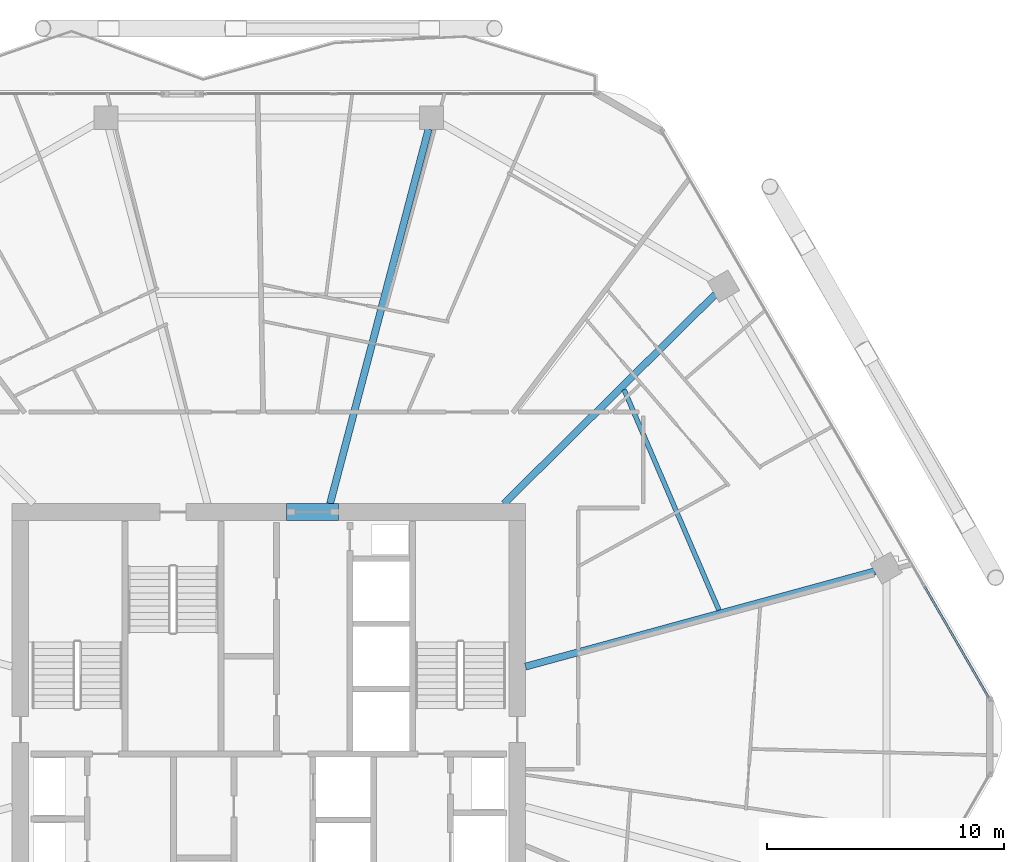
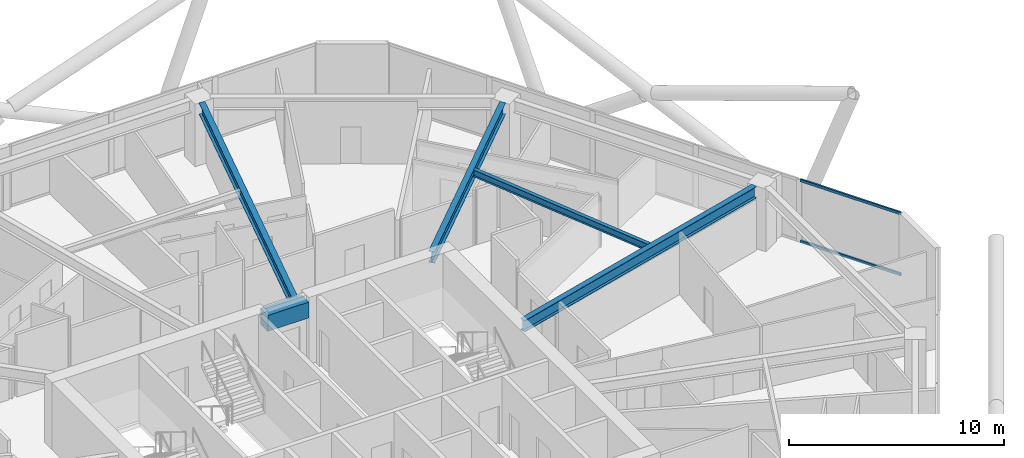
# One storey, part 16 of 29: 5 beams, 2 members, 1 element without a shape of its own.
"""IFC4 building model written with IfcOpenShell, lengths in metres."""

from ifc_helpers import new_model, si_unit, direction, frame, origin, origin_2d, place, context, subcontext, project, spatial, rectangle, hollow_rectangle, i_section, extrude, material, material_profile, profile_set, type_object, element, aggregate, save


model = new_model("IFC4")

# Units and contexts
model_context = context("Model", 3, precision=1e-05, world=origin(), true_north=direction((0.0, 1.0)))
body_context = subcontext(model_context, "Body", "Model", "MODEL_VIEW")
ifc_project = project(units=[si_unit("LENGTHUNIT", "METRE"), si_unit("AREAUNIT", "SQUARE_METRE"), si_unit("VOLUMEUNIT", "CUBIC_METRE"), si_unit("PLANEANGLEUNIT", "RADIAN"), si_unit("MASSUNIT", "GRAM", prefix="KILO")], contexts=[model_context])

# Site, building, storey
site_placement = place(None, origin())
site = spatial("IfcSite", under=ifc_project, at=site_placement, CompositionType="ELEMENT")
building_placement = place(site_placement, origin())
building = spatial("IfcBuilding", under=site, at=building_placement, Name="Zuhravey Tower", CompositionType="ELEMENT")
storey_placement = place(building_placement, frame((0.0, 0.0, 184.60009765625)))
storey = spatial("IfcBuildingStorey", under=building, at=storey_placement, Name="L46", CompositionType="ELEMENT", Elevation=184.60009765625)

# Beam
ifc_material_1 = material(Name="Concrete C60/75", Category="concrete")
ifc_material_profile_1 = material_profile(ifc_material_1, rectangle(XDim=0.699951171875, YDim=0.89990234375, at=origin_2d()), Name="RC-700x900")
ifc_profile_set_1 = profile_set([ifc_material_profile_1], Name="Concrete C60/75")
beam_type_1 = type_object("IfcBeamType", Name="Core Coupling Beam RC700x900", PredefinedType="LINTEL", material=ifc_profile_set_1)
beam_1_placement = place(storey_placement, frame((36.751953125, 41.5, 3.099853515625), z_axis=(1.0, 0.0, 0.0), x_axis=(0.0, 1.0, 0.0)))
element("IfcBeam", 1, at=beam_1_placement, inside=storey, type_object=beam_type_1, Name="L46 CB1 BM-L46-CB-N", PredefinedType="LINTEL", context=body_context, shape_type="SweptSolid", body=[
    extrude(rectangle(XDim=0.699951171875, YDim=0.89990234375, at=origin_2d()), origin(), (0.0, 0.0, 1.0), 2.196044921875),
])

# Curtain wall, members
ifc_material_2 = material(Name="Thermally broken anodised aluminium", Category="aluminium")
curtain_wall_type = type_object("IfcCurtainWallType", Name="Zone 1-2 Residential Curtain Wall CW3", PredefinedType="NOTDEFINED", material=ifc_material_2)
curtain_wall_placement = place(storey_placement, origin())
curtain_wall = element("IfcCurtainWall", 2, at=curtain_wall_placement, inside=storey, type_object=curtain_wall_type, Name="L46 CW3 CW-L46-F1-1", PredefinedType="NOTDEFINED")
ifc_material_3 = material(Name="Anodised aluminium", Category="aluminium")
ifc_material_profile_2 = material_profile(ifc_material_3, hollow_rectangle(XDim=0.090087890625, YDim=0.14990234375, WallThickness=0.0048828125, at=origin_2d()), Name="ALU-RHS-90x150x5")
ifc_profile_set_2 = profile_set([ifc_material_profile_2], Name="Anodised aluminium")
member_type = type_object("IfcMemberType", Name="Curtain-Wall Transom 90x150", PredefinedType="USERDEFINED", material=ifc_profile_set_2)
member_1_placement = place(storey_placement, frame((63.72216796875, 38.35009765625, 0.044921875), z_axis=(0.499993332629, -0.866029253159, 0.0), x_axis=(0.866029253159, 0.499993332629, 0.0)))
member_1 = element("IfcMember", 3, at=member_1_placement, type_object=member_type, Name="CW3 transom 5.1", ObjectType="TRANSOM", PredefinedType="USERDEFINED", context=body_context, shape_type="SweptSolid", body=[
    extrude(hollow_rectangle(XDim=0.090087890625, YDim=0.14990234375, WallThickness=0.0048828125, at=origin_2d()), origin(), (0.0, 0.0, 1.0), 5.4091796875),
])
member_2_placement = place(storey_placement, frame((63.72216796875, 38.35009765625, 3.5048828125), z_axis=(0.499993332629, -0.866029253159, 0.0), x_axis=(0.866029253159, 0.499993332629, 0.0)))
member_2 = element("IfcMember", 4, at=member_2_placement, type_object=member_type, Name="CW3 transom 5.2", ObjectType="TRANSOM", PredefinedType="USERDEFINED", context=body_context, shape_type="SweptSolid", body=[
    extrude(hollow_rectangle(XDim=0.090087890625, YDim=0.14990234375, WallThickness=0.0048828125, at=origin_2d()), origin(), (0.0, 0.0, 1.0), 5.4091796875),
])
aggregate(curtain_wall, [member_1, member_2])

# Beams
ifc_material_4 = material(Name="Steel SM355", Category="steel")
ifc_material_profile_3 = material_profile(ifc_material_4, i_section(OverallWidth=0.300048828125, OverallDepth=0.64990234375, WebThickness=0.012939453125, FlangeThickness=0.02197265625, at=origin_2d()), Name="H-650x300x13x22")
ifc_profile_set_3 = profile_set([ifc_material_profile_3], Name="Steel SM355")
beam_type_2 = type_object("IfcBeamType", Name="Radial Primary Girder H650x300", PredefinedType="BEAM", material=ifc_profile_set_3)
beam_2_placement = place(storey_placement, frame((46.85302734375, 34.96240234375, 3.224853515625), z_axis=(0.964701601771, 0.263345437667, 0.0), x_axis=(-0.263345437667, 0.964701601771, 0.0)))
element("IfcBeam", 5, at=beam_2_placement, inside=storey, type_object=beam_type_2, Name="L46 RG2 BM-L46-RAD-01", PredefinedType="BEAM", context=body_context, shape_type="SweptSolid", body=[
    extrude(i_section(OverallWidth=0.300048828125, OverallDepth=0.64990234375, WebThickness=0.012939453125, FlangeThickness=0.02197265625, at=origin_2d()), origin(), (0.0, 0.0, 1.0), 15.309814453125),
])
beam_3_placement = place(storey_placement, frame((45.945556640625, 41.85302734375, 3.224853515625), z_axis=(0.71040353357, 0.703794586148, 0.0), x_axis=(-0.703794586148, 0.71040353357, 0.0)))
element("IfcBeam", 6, at=beam_3_placement, inside=storey, type_object=beam_type_2, Name="L46 RG2 BM-L46-RAD-02", PredefinedType="BEAM", context=body_context, shape_type="SweptSolid", body=[
    extrude(i_section(OverallWidth=0.300048828125, OverallDepth=0.64990234375, WebThickness=0.012939453125, FlangeThickness=0.02197265625, at=origin_2d()), origin(), (0.0, 0.0, 1.0), 12.559814453125),
])
beam_4_placement = place(storey_placement, frame((38.5908203125, 41.85302734375, 3.224853515625), z_axis=(0.254300244998, 0.967125320418, 0.0), x_axis=(-0.967125320418, 0.254300244998, 0.0)))
element("IfcBeam", 7, at=beam_4_placement, inside=storey, type_object=beam_type_2, Name="L46 RG2 BM-L46-RAD-03", PredefinedType="BEAM", context=body_context, shape_type="SweptSolid", body=[
    extrude(i_section(OverallWidth=0.300048828125, OverallDepth=0.64990234375, WebThickness=0.012939453125, FlangeThickness=0.02197265625, at=origin_2d()), origin(), (0.0, 0.0, 1.0), 16.371826171875),
])
ifc_material_profile_4 = material_profile(ifc_material_4, i_section(OverallWidth=0.199951171875, OverallDepth=0.39990234375, WebThickness=0.008056640625, FlangeThickness=0.012939453125, at=origin_2d()), Name="H-400x200x8x13")
ifc_profile_set_4 = profile_set([ifc_material_profile_4], Name="Steel SM355")
beam_type_3 = type_object("IfcBeamType", Name="Secondary Floor Joist H400x200", PredefinedType="JOIST", material=ifc_profile_set_4)
beam_5_placement = place(storey_placement, frame((55.029541015625, 37.3525390625, 3.349853515625), z_axis=(-0.395265853487, 0.918566766799, 0.0), x_axis=(-0.918566766799, -0.395265853487, 0.0)))
element("IfcBeam", 8, at=beam_5_placement, inside=storey, type_object=beam_type_3, Name="L46 SJ2 BM-L46-SJ-01-1", PredefinedType="JOIST", context=body_context, shape_type="SweptSolid", body=[
    extrude(i_section(OverallWidth=0.199951171875, OverallDepth=0.39990234375, WebThickness=0.008056640625, FlangeThickness=0.012939453125, at=origin_2d()), origin(), (0.0, 0.0, 1.0), 10.150146484375),
])

save(model, "model.ifc")
